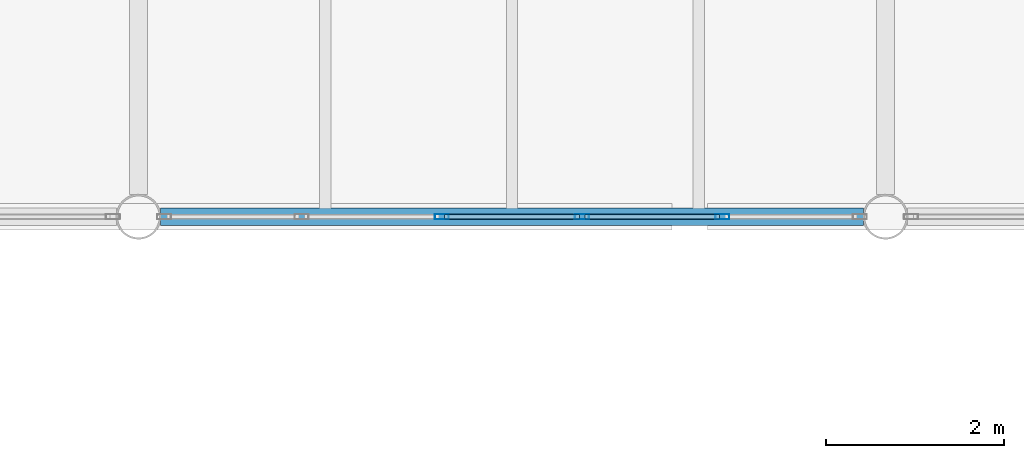
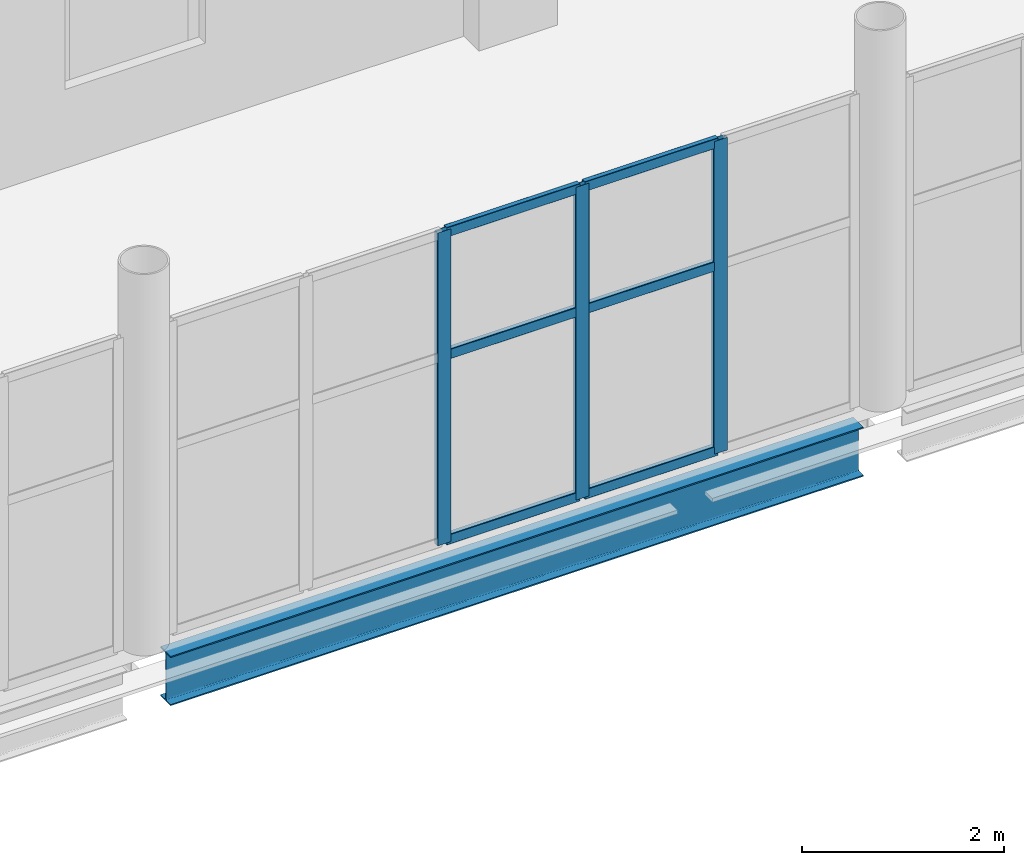
# One storey, part 86 of 172: 9 members, 1 beam, 1 element without a shape of its own.
"""IFC4 building model written with IfcOpenShell, lengths in metres."""

from ifc_helpers import new_model, si_unit, direction, frame, origin, origin_2d, place, context, subcontext, project, spatial, hollow_rectangle, i_section, extrude, material, material_profile, profile_set, type_object, element, aggregate, save


model = new_model("IFC4")

# Units and contexts
model_context = context("Model", 3, precision=1e-05, world=origin(), true_north=direction((0.0, 1.0)))
body_context = subcontext(model_context, "Body", "Model", "MODEL_VIEW")
ifc_project = project(units=[si_unit("LENGTHUNIT", "METRE"), si_unit("AREAUNIT", "SQUARE_METRE"), si_unit("VOLUMEUNIT", "CUBIC_METRE"), si_unit("PLANEANGLEUNIT", "RADIAN"), si_unit("MASSUNIT", "GRAM", prefix="KILO")], contexts=[model_context])

# Site, building, storey
site_placement = place(None, origin())
site = spatial("IfcSite", under=ifc_project, at=site_placement, CompositionType="ELEMENT")
building_placement = place(site_placement, origin())
building = spatial("IfcBuilding", under=site, at=building_placement, Name="Shengluoqiao Park Theatre", CompositionType="ELEMENT")
storey_placement = place(building_placement, frame((0.0, 0.0, 5.39990234375)))
storey = spatial("IfcBuildingStorey", under=building, at=storey_placement, Name="L01", CompositionType="ELEMENT", Elevation=5.39990234375)

# Curtain wall, members
ifc_material_1 = material(Name="Aluminium 6063-T6", Category="aluminium")
curtain_wall_type = type_object("IfcCurtainWallType", Name="ENV-CW-BRIDGE", PredefinedType="NOTDEFINED", material=ifc_material_1)
curtain_wall_placement = place(storey_placement, origin())
curtain_wall = element("IfcCurtainWall", 1, at=curtain_wall_placement, inside=storey, type_object=curtain_wall_type, Name="L01 Curtain Wall CWX-L01-0093", PredefinedType="NOTDEFINED")
ifc_material_profile_1 = material_profile(ifc_material_1, hollow_rectangle(XDim=0.06005859375, YDim=0.159912109375, WallThickness=0.00390625, InnerFilletRadius=0.00390625, OuterFilletRadius=0.008056640625, at=origin_2d()), Name="ALU MULLION 160x60x4")
ifc_profile_set_1 = profile_set([ifc_material_profile_1], Name="Aluminium 6063-T6")
member_type_1 = type_object("IfcMemberType", Name="ENV-MUL-160", PredefinedType="MULLION", material=ifc_profile_set_1)
member_1_placement = place(storey_placement, frame((107.41162109375, 68.39990234375, 0.0), z_axis=(0.0, 0.0, 1.0), x_axis=(0.0, 1.0, 0.0)))
member_1 = element("IfcMember", 2, at=member_1_placement, type_object=member_type_1, Name="CW-03 mullion 3", PredefinedType="MULLION", context=body_context, shape_type="SweptSolid", body=[
    extrude(hollow_rectangle(XDim=0.06005859375, YDim=0.159912109375, WallThickness=0.00390625, InnerFilletRadius=0.00390625, OuterFilletRadius=0.008056640625, at=origin_2d()), origin(), (0.0, 0.0, 1.0), 3.772216796875),
])
member_2_placement = place(storey_placement, frame((108.98828125, 68.39990234375, 0.0), z_axis=(0.0, 0.0, 1.0), x_axis=(0.0, 1.0, 0.0)))
member_2 = element("IfcMember", 3, at=member_2_placement, type_object=member_type_1, Name="CW-03 mullion 4", PredefinedType="MULLION", context=body_context, shape_type="SweptSolid", body=[
    extrude(hollow_rectangle(XDim=0.06005859375, YDim=0.159912109375, WallThickness=0.00390625, InnerFilletRadius=0.00390625, OuterFilletRadius=0.008056640625, at=origin_2d()), origin(), (0.0, 0.0, 1.0), 3.772216796875),
])
member_3_placement = place(storey_placement, frame((110.565185546875, 68.39990234375, 0.0), z_axis=(0.0, 0.0, 1.0), x_axis=(0.0, 1.0, 0.0)))
member_3 = element("IfcMember", 4, at=member_3_placement, type_object=member_type_1, Name="CW-03 mullion 5", PredefinedType="MULLION", context=body_context, shape_type="SweptSolid", body=[
    extrude(hollow_rectangle(XDim=0.06005859375, YDim=0.159912109375, WallThickness=0.00390625, InnerFilletRadius=0.00390625, OuterFilletRadius=0.008056640625, at=origin_2d()), origin(), (0.0, 0.0, 1.0), 3.772216796875),
])
ifc_material_profile_2 = material_profile(ifc_material_1, hollow_rectangle(XDim=0.06005859375, YDim=0.1201171875, WallThickness=0.00390625, InnerFilletRadius=0.00390625, OuterFilletRadius=0.008056640625, at=origin_2d()), Name="ALU TRANSOM 120x60x4")
ifc_profile_set_2 = profile_set([ifc_material_profile_2], Name="Aluminium 6063-T6")
member_type_2 = type_object("IfcMemberType", Name="ENV-TRN-120", PredefinedType="USERDEFINED", material=ifc_profile_set_2)
member_4_placement = place(storey_placement, frame((107.441650390625, 68.39990234375, 0.030029296875), z_axis=(1.0, 0.0, 0.0), x_axis=(0.0, 1.0, 0.0)))
member_4 = element("IfcMember", 5, at=member_4_placement, type_object=member_type_2, Name="CW-03 transom 3.1", ObjectType="TRANSOM", PredefinedType="USERDEFINED", context=body_context, shape_type="SweptSolid", body=[
    extrude(hollow_rectangle(XDim=0.06005859375, YDim=0.1201171875, WallThickness=0.00390625, InnerFilletRadius=0.00390625, OuterFilletRadius=0.008056640625, at=origin_2d()), origin(), (0.0, 0.0, 1.0), 1.516845703125),
])
member_5_placement = place(storey_placement, frame((107.441650390625, 68.39990234375, 2.26318359375), z_axis=(1.0, 0.0, 0.0), x_axis=(0.0, 1.0, 0.0)))
member_5 = element("IfcMember", 6, at=member_5_placement, type_object=member_type_2, Name="CW-03 transom 3.2", ObjectType="TRANSOM", PredefinedType="USERDEFINED", context=body_context, shape_type="SweptSolid", body=[
    extrude(hollow_rectangle(XDim=0.06005859375, YDim=0.1201171875, WallThickness=0.00390625, InnerFilletRadius=0.00390625, OuterFilletRadius=0.008056640625, at=origin_2d()), origin(), (0.0, 0.0, 1.0), 1.516845703125),
])
member_6_placement = place(storey_placement, frame((107.441650390625, 68.39990234375, 3.7421875), z_axis=(1.0, 0.0, 0.0), x_axis=(0.0, 1.0, 0.0)))
member_6 = element("IfcMember", 7, at=member_6_placement, type_object=member_type_2, Name="CW-03 transom 3.3", ObjectType="TRANSOM", PredefinedType="USERDEFINED", context=body_context, shape_type="SweptSolid", body=[
    extrude(hollow_rectangle(XDim=0.06005859375, YDim=0.1201171875, WallThickness=0.00390625, InnerFilletRadius=0.00390625, OuterFilletRadius=0.008056640625, at=origin_2d()), origin(), (0.0, 0.0, 1.0), 1.516845703125),
])
member_7_placement = place(storey_placement, frame((109.018310546875, 68.39990234375, 0.030029296875), z_axis=(1.0, 0.0, 0.0), x_axis=(0.0, 1.0, 0.0)))
member_7 = element("IfcMember", 8, at=member_7_placement, type_object=member_type_2, Name="CW-03 transom 4.1", ObjectType="TRANSOM", PredefinedType="USERDEFINED", context=body_context, shape_type="SweptSolid", body=[
    extrude(hollow_rectangle(XDim=0.06005859375, YDim=0.1201171875, WallThickness=0.00390625, InnerFilletRadius=0.00390625, OuterFilletRadius=0.008056640625, at=origin_2d()), origin(), (0.0, 0.0, 1.0), 1.516845703125),
])
member_8_placement = place(storey_placement, frame((109.018310546875, 68.39990234375, 2.26318359375), z_axis=(1.0, 0.0, 0.0), x_axis=(0.0, 1.0, 0.0)))
member_8 = element("IfcMember", 9, at=member_8_placement, type_object=member_type_2, Name="CW-03 transom 4.2", ObjectType="TRANSOM", PredefinedType="USERDEFINED", context=body_context, shape_type="SweptSolid", body=[
    extrude(hollow_rectangle(XDim=0.06005859375, YDim=0.1201171875, WallThickness=0.00390625, InnerFilletRadius=0.00390625, OuterFilletRadius=0.008056640625, at=origin_2d()), origin(), (0.0, 0.0, 1.0), 1.516845703125),
])
member_9_placement = place(storey_placement, frame((109.018310546875, 68.39990234375, 3.7421875), z_axis=(1.0, 0.0, 0.0), x_axis=(0.0, 1.0, 0.0)))
member_9 = element("IfcMember", 10, at=member_9_placement, type_object=member_type_2, Name="CW-03 transom 4.3", ObjectType="TRANSOM", PredefinedType="USERDEFINED", context=body_context, shape_type="SweptSolid", body=[
    extrude(hollow_rectangle(XDim=0.06005859375, YDim=0.1201171875, WallThickness=0.00390625, InnerFilletRadius=0.00390625, OuterFilletRadius=0.008056640625, at=origin_2d()), origin(), (0.0, 0.0, 1.0), 1.516845703125),
])
aggregate(curtain_wall, [member_1, member_2, member_3, member_4, member_5, member_6, member_7, member_8, member_9])

# Beam
ifc_material_2 = material(Name="Steel Q355", Category="steel")
ifc_material_profile_3 = material_profile(ifc_material_2, i_section(OverallWidth=0.198974609375, OverallDepth=0.595947265625, WebThickness=0.010009765625, FlangeThickness=0.014892578125, FilletRadius=0.02001953125, at=origin_2d()), Name="HN 596x199x10x15")
ifc_profile_set_3 = profile_set([ifc_material_profile_3], Name="Steel Q355")
beam_type = type_object("IfcBeamType", Name="STR-BM-SP-HN596", PredefinedType="SPANDREL", material=ifc_profile_set_3)
beam_placement = place(storey_placement, frame((104.248046875, 68.39990234375, -0.5078125), z_axis=(1.0, 0.0, 0.0), x_axis=(0.0, 1.0, 0.0)))
element("IfcBeam", 11, at=beam_placement, inside=storey, type_object=beam_type, Name="L01 Primary Girder 00518", PredefinedType="SPANDREL", context=body_context, shape_type="SweptSolid", body=[
    extrude(i_section(OverallWidth=0.198974609375, OverallDepth=0.595947265625, WebThickness=0.010009765625, FlangeThickness=0.014892578125, FilletRadius=0.02001953125, at=origin_2d()), origin(), (0.0, 0.0, 1.0), 7.904052734375),
])

save(model, "model.ifc")
